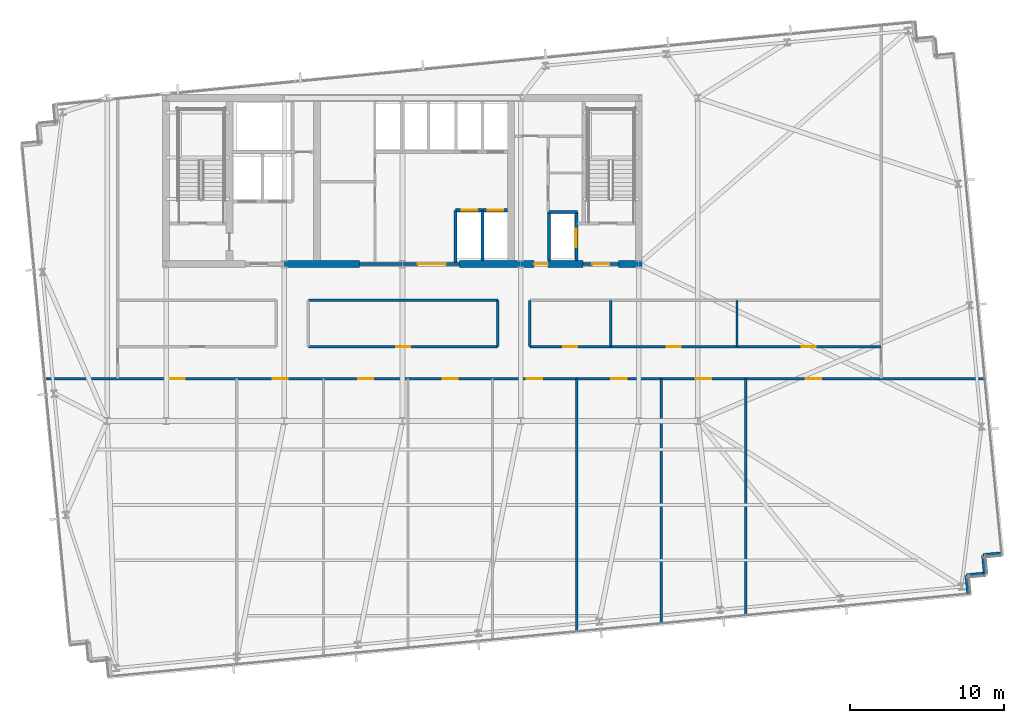
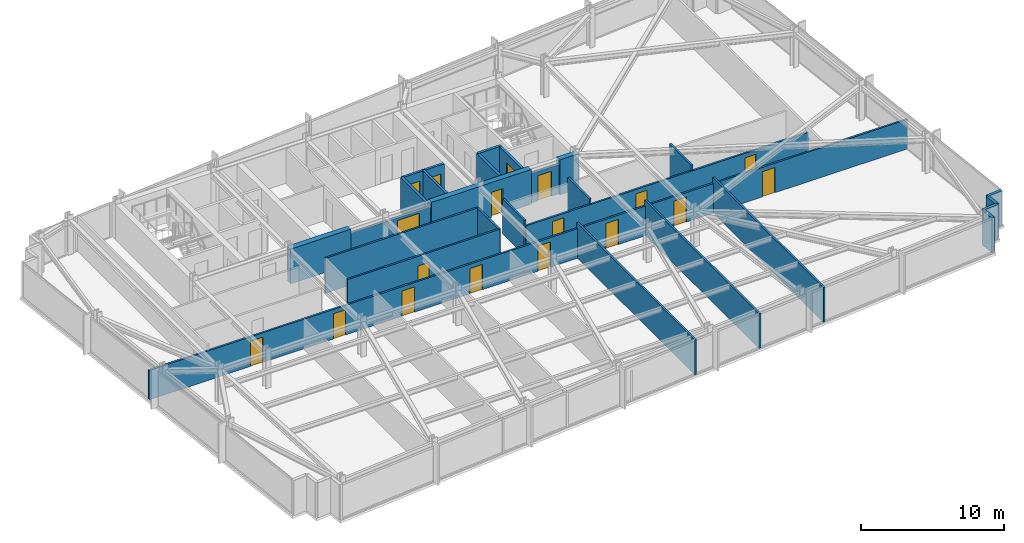
# One storey, part 25 of 32: 26 walls, 18 doors, 18 openings.
"""IFC4 building model written with IfcOpenShell, lengths in metres."""

import ifcopenshell
import ifcopenshell.guid

model = None  # the IFC model being written
_history = None  # IfcOwnerHistory: only IFC2X3 demands one
_inside = {}  # id of a spatial element -> (the spatial element, [elements in it])
_under = {}  # id of a project, library or spatial element -> (it, [spatial elements below it])
_declared = {}  # id of a project -> (the project, [libraries it declares])
_typed = {}  # id of a type object -> (the type object, [elements of that type])
_made_of = {}  # id of a material, layer set ... -> (it, [elements and type objects made of it])


def new_model(schema):
    """Start an empty IFC model of exactly this schema.

    Asked for "IFC4X3", IfcOpenShell would pick the latest addendum, in which some entities
    have other attributes; the version numbers below select the first issue.
    IFC2X3 requires an IfcOwnerHistory on every rooted entity: one is made here for all.
    """
    global model, _history
    if schema == "IFC4X3":
        model = ifcopenshell.file(schema_version=(4, 3, 0, 0))
    else:
        model = ifcopenshell.file(schema=schema)
    _inside.clear()
    _under.clear()
    _declared.clear()
    _typed.clear()
    _made_of.clear()
    _history = None
    if model.schema == "IFC2X3":
        org = make("IfcOrganization", Name="unknown")
        user = make(
            "IfcPersonAndOrganization",
            ThePerson=make("IfcPerson", FamilyName="unknown"),
            TheOrganization=org,
        )
        app = make(
            "IfcApplication",
            ApplicationDeveloper=org,
            Version="unknown",
            ApplicationFullName="unknown",
            ApplicationIdentifier="unknown",
        )
        _history = make(
            "IfcOwnerHistory",
            OwningUser=user,
            OwningApplication=app,
            ChangeAction="ADDED",
            CreationDate=0,
        )
    return model


def make(cls, **values):
    """One entity of the class cls with the attributes given. An attribute that is None is left unset."""
    return model.create_entity(
        cls, **{name: value for name, value in values.items() if value is not None}
    )


def rooted(cls, **values):
    """An entity with a GlobalId (a new one), such as an element, a storey or a relation."""
    return make(cls, GlobalId=ifcopenshell.guid.new(), OwnerHistory=_history, **values)


def si_unit(unit_type, name, prefix=None):
    """IfcSIUnit, for example si_unit("LENGTHUNIT", "METRE", prefix="MILLI")."""
    return make("IfcSIUnit", UnitType=unit_type, Prefix=prefix, Name=name)


def assignment(units):
    """IfcUnitAssignment: the units of a project."""
    return None if units is None else make("IfcUnitAssignment", Units=units)


def point(xyz):
    """IfcCartesianPoint."""
    return None if xyz is None else make("IfcCartesianPoint", Coordinates=xyz)


def direction(xyz):
    """IfcDirection."""
    return None if xyz is None else make("IfcDirection", DirectionRatios=xyz)


def frame(location, z_axis=None, x_axis=None):
    """IfcAxis2Placement3D, a coordinate frame: its origin and axes. An axis left out is left unset."""
    return make(
        "IfcAxis2Placement3D",
        Location=point(location),
        Axis=direction(z_axis),
        RefDirection=direction(x_axis),
    )


def frame_2d(location, x_axis=None):
    """IfcAxis2Placement2D, a coordinate frame in the plane: its origin and x axis."""
    return make(
        "IfcAxis2Placement2D", Location=point(location), RefDirection=direction(x_axis)
    )


def origin():
    """The frame at (0, 0, 0) with its axes left unset."""
    return frame((0.0, 0.0, 0.0))


def place(relative_to, where):
    """IfcLocalPlacement: puts the frame where relative to a parent placement (None: the world)."""
    return make(
        "IfcLocalPlacement", PlacementRelTo=relative_to, RelativePlacement=where
    )


def context(
    kind, dimensions, precision=None, world=None, true_north=None, identifier=None
):
    """IfcGeometricRepresentationContext, for example the 3D "Model" context."""
    return make(
        "IfcGeometricRepresentationContext",
        ContextIdentifier=identifier,
        ContextType=kind,
        CoordinateSpaceDimension=dimensions,
        Precision=precision,
        WorldCoordinateSystem=world,
        TrueNorth=true_north,
    )


def subcontext(parent, identifier, kind, view, scale=None):
    """IfcGeometricRepresentationSubContext, for example "Body" below "Model"."""
    return make(
        "IfcGeometricRepresentationSubContext",
        ContextIdentifier=identifier,
        ContextType=kind,
        ParentContext=parent,
        TargetScale=scale,
        TargetView=view,
    )


def project(units=None, contexts=None):
    """IfcProject with its units and contexts."""
    return rooted(
        "IfcProject",
        Name="project",
        RepresentationContexts=contexts,
        UnitsInContext=assignment(units),
    )


def spatial(cls, under=None, at=None, **own):
    """A site, building, storey or space (cls), placed at a placement, below another one or the project."""
    s = rooted(cls, ObjectPlacement=at, **own)
    if under is not None:
        _under.setdefault(under.id(), (under, []))[1].append(s)
    return s


def profile(cls, at=None, kind="AREA", **sizes):
    """A parametric profile (cls). Its sizes go by their IFC names, for example OverallWidth=200.0."""
    return make(cls, ProfileType=kind, Position=at, **sizes)


def rectangle(**sizes):
    """IfcRectangleProfileDef."""
    return profile("IfcRectangleProfileDef", **sizes)


def extrude(swept, where, along, depth):
    """IfcExtrudedAreaSolid: the profile swept, set in the frame where, extruded along a direction by depth."""
    return make(
        "IfcExtrudedAreaSolid",
        SweptArea=swept,
        Position=where,
        ExtrudedDirection=direction(along),
        Depth=depth,
    )


def shape(context_of_items, identifier, shape_type, items):
    """IfcShapeRepresentation: the items that make up one representation, for example the "Body"."""
    return make(
        "IfcShapeRepresentation",
        ContextOfItems=context_of_items,
        RepresentationIdentifier=identifier,
        RepresentationType=shape_type,
        Items=items,
    )


def material(Name=None, Category=None):
    """IfcMaterial."""
    return make("IfcMaterial", Name=Name, Category=Category)


def layer(
    of_material, thickness, ventilated=None, Name=None, Category=None, Priority=None
):
    """IfcMaterialLayer: one layer of a wall or slab, of a material (None: an air gap)."""
    return make(
        "IfcMaterialLayer",
        Material=of_material,
        LayerThickness=thickness,
        IsVentilated=ventilated,
        Name=Name,
        Category=Category,
        Priority=Priority,
    )


def layer_set(layers, Name=None):
    """IfcMaterialLayerSet."""
    return make("IfcMaterialLayerSet", MaterialLayers=layers, LayerSetName=Name)


def made_of(thing, what):
    """Note that an element or type object is made of a material, layer set ...; save() writes the relation."""
    if what is not None:
        _made_of.setdefault(what.id(), (what, []))[1].append(thing)
    return thing


def type_object(cls, material=None, **own):
    """A type object (cls), such as IfcWallType, which elements share."""
    return made_of(rooted(cls, **own), material)


def element(
    cls,
    number,
    at=None,
    inside=None,
    cuts=None,
    type_object=None,
    material=None,
    context=None,
    identifier="Body",
    shape_type=None,
    held_by="IfcProductDefinitionShape",
    body=None,
    shapes=None,
    **own,
):
    """One element of the class cls, such as IfcWall. Its Tag is "e" and its number.

    at: its placement. inside: the storey or other place that contains it. cuts: it is an
    opening in that element (IfcRelVoidsElement). A single representation is given by context,
    identifier, shape_type and body (its items); several are given by shapes. held_by: the class
    of the entity that holds the representations. save() writes the other relations.
    """
    e = rooted(cls, Tag="e%d" % number, ObjectPlacement=at, **own)
    if body is not None:
        shapes = [shape(context, identifier, shape_type, body)]
    if shapes is not None:
        e.Representation = make(held_by, Representations=shapes)
    if inside is not None:
        _inside.setdefault(inside.id(), (inside, []))[1].append(e)
    if cuts is not None:
        rooted(
            "IfcRelVoidsElement", RelatingBuildingElement=cuts, RelatedOpeningElement=e
        )
    if type_object is not None:
        _typed.setdefault(type_object.id(), (type_object, []))[1].append(e)
    return made_of(e, material)


def fill(opening, filler):
    """IfcRelFillsElement: the door or window that sits in an opening."""
    return rooted(
        "IfcRelFillsElement",
        RelatingOpeningElement=opening,
        RelatedBuildingElement=filler,
    )


def aggregate(whole, parts):
    """IfcRelAggregates: a whole, such as a stair, and the parts it consists of."""
    return rooted("IfcRelAggregates", RelatingObject=whole, RelatedObjects=parts)


def save(model, path):
    """Write the relations noted so far, then the file.

    IfcRelAggregates (storeys below a building ...), IfcRelContainedInSpatialStructure (elements
    in a storey), IfcRelDefinesByType, IfcRelAssociatesMaterial and IfcRelDeclares: one each for
    every whole, place, type object, material and project.
    """
    for whole, parts in _under.values():
        aggregate(whole, parts)
    for where, things in _inside.values():
        rooted(
            "IfcRelContainedInSpatialStructure",
            RelatedElements=things,
            RelatingStructure=where,
        )
    for kind, things in _typed.values():
        rooted("IfcRelDefinesByType", RelatedObjects=things, RelatingType=kind)
    for what, things in _made_of.values():
        rooted("IfcRelAssociatesMaterial", RelatedObjects=things, RelatingMaterial=what)
    for by, libraries in _declared.values():
        rooted("IfcRelDeclares", RelatingContext=by, RelatedDefinitions=libraries)
    model.write(path)


model = new_model("IFC4")

# Units and contexts
model_context = context("Model", 3, precision=1e-05, world=origin(), true_north=direction((0.0, 1.0)))
body_context = subcontext(model_context, "Body", "Model", "MODEL_VIEW")
ifc_project = project(units=[si_unit("LENGTHUNIT", "METRE"), si_unit("AREAUNIT", "SQUARE_METRE"), si_unit("VOLUMEUNIT", "CUBIC_METRE"), si_unit("PLANEANGLEUNIT", "RADIAN"), si_unit("MASSUNIT", "GRAM", prefix="KILO")], contexts=[model_context])

# Site, building, storey
site_placement = place(None, origin())
site = spatial("IfcSite", under=ifc_project, at=site_placement, CompositionType="ELEMENT")
building_placement = place(site_placement, origin())
building = spatial("IfcBuilding", under=site, at=building_placement, Name="Yelkora Congress Tower", CompositionType="ELEMENT")
storey_placement = place(building_placement, frame((0.0, 0.0, 133.89990234375)))
storey = spatial("IfcBuildingStorey", under=building, at=storey_placement, Name="L36", CompositionType="ELEMENT", Elevation=133.89990234375)

# Wall
ifc_material_1 = material(Name="Concrete C60/75", Category="concrete")
ifc_layer_1 = layer(ifc_material_1, 0.449951171875)
ifc_layer_set_1 = layer_set([ifc_layer_1], Name="Concrete C60/75")
wall_type_1 = type_object("IfcWallType", Name="WALL-CORE-INT-450", PredefinedType="SHEAR", material=ifc_layer_set_1)
wall_1_placement = place(storey_placement, frame((30.719970703125, 35.39990234375, 0.0), z_axis=(0.0, 0.0, 1.0), x_axis=(1.0, 0.0, 0.0)))
element("IfcWall", 1, at=wall_1_placement, inside=storey, type_object=wall_type_1, Name="L36 Rear Core South-Center Shear Pier", PredefinedType="SHEAR", context=body_context, shape_type="SweptSolid", body=[
    extrude(rectangle(XDim=4.880126953125, YDim=0.449951171875, at=frame_2d((2.43994140625, 0.0))), origin(), (0.0, 0.0, 1.0), 2.97998046875),
])

# Wall, opening, door
wall_2_placement = place(storey_placement, frame((42.10009765625, 35.39990234375, 0.0), z_axis=(0.0, 0.0, 1.0), x_axis=(1.0, 0.0, 0.0)))
wall_2 = element("IfcWall", 2, at=wall_2_placement, inside=storey, type_object=wall_type_1, Name="L36 Rear Core South-East Shear Wall A", PredefinedType="SHEAR", context=body_context, shape_type="SweptSolid", body=[
    extrude(rectangle(XDim=8.0498046875, YDim=0.449951171875, at=frame_2d((4.02490234375, 0.0))), origin(), (0.0, 0.0, 1.0), 2.97998046875),
])
opening_1_placement = place(wall_2_placement, frame((4.85009765625, 0.0, 0.0)))
opening_1 = element("IfcOpeningElement", 3, at=opening_1_placement, cuts=wall_2, Name="Opening DR-090F6", PredefinedType="OPENING", context=body_context, shape_type="SweptSolid", body=[
    extrude(rectangle(XDim=0.89990234375, YDim=2.14990234375, at=frame_2d((0.449951171875, 1.074951171875))), frame((0.0, 0.23486328125, 0.0), z_axis=(0.0, -1.0, 0.0), x_axis=(1.0, 0.0, 0.0)), (0.0, 0.0, 1.0), 0.469970703125),
])
ifc_material_2 = material(Name="Painted steel riser fire door leaf", Category="steel")
door_type_1 = type_object("IfcDoorType", Name="DOOR-FD60-900", OperationType="NOTDEFINED", PredefinedType="DOOR", material=ifc_material_2)
door_1_placement = place(opening_1_placement, origin())
door_1 = element("IfcDoor", 4, at=door_1_placement, inside=storey, type_object=door_type_1, Name="L36 Core Washroom Lobby Door", OperationType="SINGLE_SWING_RIGHT", OverallHeight=2.14990234375, OverallWidth=0.89990234375, PredefinedType="DOOR", context=body_context, shape_type="SweptSolid", body=[
    extrude(rectangle(XDim=0.89990234375, YDim=2.14990234375, at=frame_2d((0.449951171875, 1.074951171875))), frame((0.0, 0.02490234375, 0.0), z_axis=(0.0, -1.0, 0.0), x_axis=(1.0, 0.0, 0.0)), (0.0, 0.0, 1.0), 0.050048828125),
])
fill(opening_1, door_1)

# Walls
wall_3_placement = place(storey_placement, frame((52.449951171875, 35.39990234375, 0.0), z_axis=(0.0, 0.0, 1.0), x_axis=(1.0, 0.0, 0.0)))
element("IfcWall", 5, at=wall_3_placement, inside=storey, type_object=wall_type_1, Name="L36 Rear Core South-East Shear Wall B", PredefinedType="SHEAR", context=body_context, shape_type="SweptSolid", body=[
    extrude(rectangle(XDim=1.53515625, YDim=0.449951171875, at=frame_2d((0.767578125, 0.0))), origin(), (0.0, 0.0, 1.0), 2.97998046875),
])
ifc_material_3 = material(Name="Concrete C40/50", Category="concrete")
ifc_layer_2 = layer(ifc_material_3, 0.239990234375)
ifc_layer_set_2 = layer_set([ifc_layer_2], Name="Concrete C40/50")
wall_type_2 = type_object("IfcWallType", Name="WALL-EXT-LIMESTONE-240", PredefinedType="SOLIDWALL", material=ifc_layer_set_2)
wall_4_placement = place(storey_placement, frame((77.34765625, 16.585693359375, 0.0), z_axis=(0.0, 0.0, 1.0), x_axis=(-0.995397091755, -0.095836473879, 0.0)))
element("IfcWall", 6, at=wall_4_placement, inside=storey, type_object=wall_type_2, Name="L36 Serrated Corner Limestone Pier 16", PredefinedType="SOLIDWALL", context=body_context, shape_type="SweptSolid", body=[
    extrude(rectangle(XDim=1.199951171875, YDim=0.239990234375, at=frame_2d((0.60009765625, 0.0))), origin(), (0.0, 0.0, 1.0), 2.97998046875),
])
for number, where, z_axis, x_axis, name in (
    (7, (76.1533203125, 16.470703125, 0.0), (0.0, 0.0, 1.0), (0.095817067274, -0.995398960025, 0.0), "L36 Serrated Corner Limestone Pier 17"),
    (8, (76.268310546875, 15.276123046875, 0.0), (0.0, 0.0, 1.0), (-0.995398960025, -0.095817067274, 0.0), "L36 Serrated Corner Limestone Pier 18"),
):
    element("IfcWall", number, at=place(storey_placement, frame(where, z_axis=z_axis, x_axis=x_axis)), inside=storey, type_object=wall_type_2, Name=name, PredefinedType="SOLIDWALL", context=body_context, shape_type="SweptSolid", body=[
        extrude(rectangle(XDim=1.2001953125, YDim=0.239990234375, at=frame_2d((0.60009765625, 0.0))), origin(), (0.0, 0.0, 1.0), 2.97998046875),
    ])
wall_5_placement = place(storey_placement, frame((75.07373046875, 15.1611328125, 0.0), z_axis=(0.0, 0.0, 1.0), x_axis=(0.095836473879, -0.995397091755, 0.0)))
element("IfcWall", 9, at=wall_5_placement, inside=storey, type_object=wall_type_2, Name="L36 Serrated Corner Limestone Pier 19", PredefinedType="SOLIDWALL", context=body_context, shape_type="SweptSolid", body=[
    extrude(rectangle(XDim=1.199951171875, YDim=0.239990234375, at=frame_2d((0.60009765625, 0.0))), origin(), (0.0, 0.0, 1.0), 2.97998046875),
])
ifc_material_4 = material(Name="Acoustic metal-stud gypsum partition", Category="gypsum")
ifc_layer_3 = layer(ifc_material_4, 0.14990234375)
ifc_layer_set_3 = layer_set([ifc_layer_3], Name="Acoustic metal-stud gypsum partition")
wall_type_3 = type_object("IfcWallType", Name="WALL-INT-150-NR", PredefinedType="PARTITIONING", material=ifc_layer_set_3)
wall_6_placement = place(storey_placement, frame((49.73193359375, 11.455322265625, 0.0), z_axis=(0.0, 0.0, 1.0), x_axis=(0.0, 1.0, 0.0)))
element("IfcWall", 10, at=wall_6_placement, inside=storey, type_object=wall_type_3, Name="L36 Partition Wall 31", PredefinedType="PARTITIONING", context=body_context, shape_type="SweptSolid", body=[
    extrude(rectangle(XDim=16.5146484375, YDim=0.14990234375, at=frame_2d((8.25732421875, 0.0))), origin(), (0.0, 0.0, 1.0), 2.97998046875),
])
wall_7_placement = place(storey_placement, frame((55.218994140625, 11.983642578125, 0.0), z_axis=(0.0, 0.0, 1.0), x_axis=(0.0, 1.0, 0.0)))
element("IfcWall", 11, at=wall_7_placement, inside=storey, type_object=wall_type_3, Name="L36 Partition Wall 32", PredefinedType="PARTITIONING", context=body_context, shape_type="SweptSolid", body=[
    extrude(rectangle(XDim=15.986328125, YDim=0.14990234375, at=frame_2d((7.9931640625, 0.0))), origin(), (0.0, 0.0, 1.0), 2.97998046875),
])
wall_8_placement = place(storey_placement, frame((60.7060546875, 12.511962890625, 0.0), z_axis=(0.0, 0.0, 1.0), x_axis=(0.0, 1.0, 0.0)))
element("IfcWall", 12, at=wall_8_placement, inside=storey, type_object=wall_type_3, Name="L36 Partition Wall 33", PredefinedType="PARTITIONING", context=body_context, shape_type="SweptSolid", body=[
    extrude(rectangle(XDim=15.4580078125, YDim=0.14990234375, at=frame_2d((7.72900390625, 0.0))), origin(), (0.0, 0.0, 1.0), 2.97998046875),
])

# Wall, openings, doors
wall_9_placement = place(storey_placement, frame((15.091796875, 27.949951171875, 0.0), z_axis=(0.0, 0.0, 1.0), x_axis=(1.0, 0.0, 0.0)))
wall_9 = element("IfcWall", 13, at=wall_9_placement, inside=storey, type_object=wall_type_3, Name="L36 South Spine Wall", PredefinedType="PARTITIONING", context=body_context, shape_type="SweptSolid", body=[
    extrude(rectangle(XDim=61.221923828125, YDim=0.14990234375, at=frame_2d((30.61083984375, 0.0))), origin(), (0.0, 0.0, 1.0), 2.525146484375),
])
opening_2_placement = place(wall_9_placement, frame((8.171630859375, 0.0, 0.0)))
opening_2 = element("IfcOpeningElement", 14, at=opening_2_placement, cuts=wall_9, Name="Opening DR-100N", PredefinedType="OPENING", context=body_context, shape_type="SweptSolid", body=[
    extrude(rectangle(XDim=1.0, YDim=2.14990234375, at=frame_2d((0.5, 1.074951171875))), frame((0.0, 0.0849609375, 0.0), z_axis=(0.0, -1.0, 0.0), x_axis=(1.0, 0.0, 0.0)), (0.0, 0.0, 1.0), 0.169921875),
])
opening_3_placement = place(wall_9_placement, frame((14.861572265625, 0.0, 0.0)))
opening_3 = element("IfcOpeningElement", 15, at=opening_3_placement, cuts=wall_9, Name="Opening DR-100N", PredefinedType="OPENING", context=body_context, shape_type="SweptSolid", body=[
    extrude(rectangle(XDim=1.0, YDim=2.14990234375, at=frame_2d((0.5, 1.074951171875))), frame((0.0, 0.0849609375, 0.0), z_axis=(0.0, -1.0, 0.0), x_axis=(1.0, 0.0, 0.0)), (0.0, 0.0, 1.0), 0.169921875),
])
opening_4_placement = place(wall_9_placement, frame((20.423583984375, 0.0, 0.0)))
opening_4 = element("IfcOpeningElement", 16, at=opening_4_placement, cuts=wall_9, Name="Opening DR-100N", PredefinedType="OPENING", context=body_context, shape_type="SweptSolid", body=[
    extrude(rectangle(XDim=1.0, YDim=2.14990234375, at=frame_2d((0.5, 1.074951171875))), frame((0.0, 0.0849609375, 0.0), z_axis=(0.0, -1.0, 0.0), x_axis=(1.0, 0.0, 0.0)), (0.0, 0.0, 1.0), 0.169921875),
])
opening_5_placement = place(wall_9_placement, frame((25.91064453125, 0.0, 0.0)))
opening_5 = element("IfcOpeningElement", 17, at=opening_5_placement, cuts=wall_9, Name="Opening DR-100N", PredefinedType="OPENING", context=body_context, shape_type="SweptSolid", body=[
    extrude(rectangle(XDim=1.0, YDim=2.14990234375, at=frame_2d((0.5, 1.074951171875))), frame((0.0, 0.0849609375, 0.0), z_axis=(0.0, -1.0, 0.0), x_axis=(1.0, 0.0, 0.0)), (0.0, 0.0, 1.0), 0.169921875),
])
opening_6_placement = place(wall_9_placement, frame((31.397216796875, 0.0, 0.0)))
opening_6 = element("IfcOpeningElement", 18, at=opening_6_placement, cuts=wall_9, Name="Opening DR-100N", PredefinedType="OPENING", context=body_context, shape_type="SweptSolid", body=[
    extrude(rectangle(XDim=1.0, YDim=2.14990234375, at=frame_2d((0.5, 1.074951171875))), frame((0.0, 0.0849609375, 0.0), z_axis=(0.0, -1.0, 0.0), x_axis=(1.0, 0.0, 0.0)), (0.0, 0.0, 1.0), 0.169921875),
])
opening_7_placement = place(wall_9_placement, frame((36.883544921875, 0.0, 0.0)))
opening_7 = element("IfcOpeningElement", 19, at=opening_7_placement, cuts=wall_9, Name="Opening DR-100N", PredefinedType="OPENING", context=body_context, shape_type="SweptSolid", body=[
    extrude(rectangle(XDim=1.0, YDim=2.14990234375, at=frame_2d((0.5, 1.074951171875))), frame((0.0, 0.0849609375, 0.0), z_axis=(0.0, -1.0, 0.0), x_axis=(1.0, 0.0, 0.0)), (0.0, 0.0, 1.0), 0.169921875),
])
opening_8_placement = place(wall_9_placement, frame((42.37060546875, 0.0, 0.0)))
opening_8 = element("IfcOpeningElement", 20, at=opening_8_placement, cuts=wall_9, Name="Opening DR-100N", PredefinedType="OPENING", context=body_context, shape_type="SweptSolid", body=[
    extrude(rectangle(XDim=1.0, YDim=2.14990234375, at=frame_2d((0.5, 1.074951171875))), frame((0.0, 0.0849609375, 0.0), z_axis=(0.0, -1.0, 0.0), x_axis=(1.0, 0.0, 0.0)), (0.0, 0.0, 1.0), 0.169921875),
])
opening_9_placement = place(wall_9_placement, frame((49.51806640625, 0.0, 0.0)))
opening_9 = element("IfcOpeningElement", 21, at=opening_9_placement, cuts=wall_9, Name="Opening DR-100N", PredefinedType="OPENING", context=body_context, shape_type="SweptSolid", body=[
    extrude(rectangle(XDim=1.0, YDim=2.14990234375, at=frame_2d((0.5, 1.074951171875))), frame((0.0, 0.0849609375, 0.0), z_axis=(0.0, -1.0, 0.0), x_axis=(1.0, 0.0, 0.0)), (0.0, 0.0, 1.0), 0.169921875),
])
ifc_material_5 = material(Name="Solid-core Anatolian oak veneer door", Category="wood")
door_type_2 = type_object("IfcDoorType", Name="DOOR-INT-1000", OperationType="NOTDEFINED", PredefinedType="DOOR", material=ifc_material_5)
door_2_placement = place(opening_2_placement, origin())
door_2 = element("IfcDoor", 22, at=door_2_placement, inside=storey, type_object=door_type_2, Name="L36 Living & Reading Lounge Door", OperationType="SINGLE_SWING_LEFT", OverallHeight=2.14990234375, OverallWidth=1.0, PredefinedType="DOOR", context=body_context, shape_type="SweptSolid", body=[
    extrude(rectangle(XDim=1.0, YDim=2.14990234375, at=frame_2d((0.5, 1.074951171875))), frame((0.0, 0.02490234375, 0.0), z_axis=(0.0, -1.0, 0.0), x_axis=(1.0, 0.0, 0.0)), (0.0, 0.0, 1.0), 0.050048828125),
])
fill(opening_2, door_2)
door_3_placement = place(opening_3_placement, origin())
door_3 = element("IfcDoor", 23, at=door_3_placement, inside=storey, type_object=door_type_2, Name="L36 Living & Reading Lounge Door", OperationType="SINGLE_SWING_RIGHT", OverallHeight=2.14990234375, OverallWidth=1.0, PredefinedType="DOOR", context=body_context, shape_type="SweptSolid", body=[
    extrude(rectangle(XDim=1.0, YDim=2.14990234375, at=frame_2d((0.5, 1.074951171875))), frame((0.0, 0.02490234375, 0.0), z_axis=(0.0, -1.0, 0.0), x_axis=(1.0, 0.0, 0.0)), (0.0, 0.0, 1.0), 0.050048828125),
])
fill(opening_3, door_3)
door_4_placement = place(opening_4_placement, origin())
door_4 = element("IfcDoor", 24, at=door_4_placement, inside=storey, type_object=door_type_2, Name="L36 Hospitality Kitchen Door", OperationType="SINGLE_SWING_LEFT", OverallHeight=2.14990234375, OverallWidth=1.0, PredefinedType="DOOR", context=body_context, shape_type="SweptSolid", body=[
    extrude(rectangle(XDim=1.0, YDim=2.14990234375, at=frame_2d((0.5, 1.074951171875))), frame((0.0, 0.02490234375, 0.0), z_axis=(0.0, -1.0, 0.0), x_axis=(1.0, 0.0, 0.0)), (0.0, 0.0, 1.0), 0.050048828125),
])
fill(opening_4, door_4)
door_5_placement = place(opening_5_placement, origin())
door_5 = element("IfcDoor", 25, at=door_5_placement, inside=storey, type_object=door_type_2, Name="L36 Executive Office Door", OperationType="SINGLE_SWING_RIGHT", OverallHeight=2.14990234375, OverallWidth=1.0, PredefinedType="DOOR", context=body_context, shape_type="SweptSolid", body=[
    extrude(rectangle(XDim=1.0, YDim=2.14990234375, at=frame_2d((0.5, 1.074951171875))), frame((0.0, 0.02490234375, 0.0), z_axis=(0.0, -1.0, 0.0), x_axis=(1.0, 0.0, 0.0)), (0.0, 0.0, 1.0), 0.050048828125),
])
fill(opening_5, door_5)
door_6_placement = place(opening_6_placement, origin())
door_6 = element("IfcDoor", 26, at=door_6_placement, inside=storey, type_object=door_type_2, Name="L36 Wellness Room Door", OperationType="SINGLE_SWING_LEFT", OverallHeight=2.14990234375, OverallWidth=1.0, PredefinedType="DOOR", context=body_context, shape_type="SweptSolid", body=[
    extrude(rectangle(XDim=1.0, YDim=2.14990234375, at=frame_2d((0.5, 1.074951171875))), frame((0.0, 0.02490234375, 0.0), z_axis=(0.0, -1.0, 0.0), x_axis=(1.0, 0.0, 0.0)), (0.0, 0.0, 1.0), 0.050048828125),
])
fill(opening_6, door_6)
door_7_placement = place(opening_7_placement, origin())
door_7 = element("IfcDoor", 27, at=door_7_placement, inside=storey, type_object=door_type_2, Name="L36 Store Equipment Door", OperationType="SINGLE_SWING_RIGHT", OverallHeight=2.14990234375, OverallWidth=1.0, PredefinedType="DOOR", context=body_context, shape_type="SweptSolid", body=[
    extrude(rectangle(XDim=1.0, YDim=2.14990234375, at=frame_2d((0.5, 1.074951171875))), frame((0.0, 0.02490234375, 0.0), z_axis=(0.0, -1.0, 0.0), x_axis=(1.0, 0.0, 0.0)), (0.0, 0.0, 1.0), 0.050048828125),
])
fill(opening_7, door_7)
door_8_placement = place(opening_8_placement, origin())
door_8 = element("IfcDoor", 28, at=door_8_placement, inside=storey, type_object=door_type_2, Name="L36 Design Studio Office Door", OperationType="SINGLE_SWING_LEFT", OverallHeight=2.14990234375, OverallWidth=1.0, PredefinedType="DOOR", context=body_context, shape_type="SweptSolid", body=[
    extrude(rectangle(XDim=1.0, YDim=2.14990234375, at=frame_2d((0.5, 1.074951171875))), frame((0.0, 0.02490234375, 0.0), z_axis=(0.0, -1.0, 0.0), x_axis=(1.0, 0.0, 0.0)), (0.0, 0.0, 1.0), 0.050048828125),
])
fill(opening_8, door_8)
door_9_placement = place(opening_9_placement, origin())
door_9 = element("IfcDoor", 29, at=door_9_placement, inside=storey, type_object=door_type_2, Name="L36 Conference Hall Door", OperationType="SINGLE_SWING_RIGHT", OverallHeight=2.14990234375, OverallWidth=1.0, PredefinedType="DOOR", context=body_context, shape_type="SweptSolid", body=[
    extrude(rectangle(XDim=1.0, YDim=2.14990234375, at=frame_2d((0.5, 1.074951171875))), frame((0.0, 0.02490234375, 0.0), z_axis=(0.0, -1.0, 0.0), x_axis=(1.0, 0.0, 0.0)), (0.0, 0.0, 1.0), 0.050048828125),
])
fill(opening_9, door_9)

# Walls
for number, where, z_axis, x_axis, name in (
    (30, (44.60009765625, 30.030029296875, 0.0), (0.0, 0.0, 1.0), (0.0, 1.0, 0.0), "L36 Partition Wall 39"),
    (31, (46.679931640625, 30.030029296875, 0.0), (0.0, 0.0, 1.0), (0.0, 1.0, 0.0), "L36 Partition Wall 40"),
):
    element("IfcWall", number, at=place(storey_placement, frame(where, z_axis=z_axis, x_axis=x_axis)), inside=storey, type_object=wall_type_3, Name=name, PredefinedType="PARTITIONING", context=body_context, shape_type="SweptSolid", body=[
        extrude(rectangle(XDim=3.02001953125, YDim=0.14990234375, at=frame_2d((1.510009765625, 0.0))), origin(), (0.0, 0.0, 1.0), 2.97998046875),
    ])
wall_10_placement = place(storey_placement, frame((32.280029296875, 33.050048828125, 0.0), z_axis=(0.0, 0.0, 1.0), x_axis=(1.0, 0.0, 0.0)))
element("IfcWall", 32, at=wall_10_placement, inside=storey, type_object=wall_type_3, Name="L36 Partition Wall 42", PredefinedType="PARTITIONING", context=body_context, shape_type="SweptSolid", body=[
    extrude(rectangle(XDim=12.320068359375, YDim=0.14990234375, at=frame_2d((6.16015625, 0.0))), origin(), (0.0, 0.0, 1.0), 2.97998046875),
])

# Wall, opening, door
wall_11_placement = place(storey_placement, frame((32.2900390625, 30.030029296875, 0.0), z_axis=(0.0, 0.0, 1.0), x_axis=(1.0, 0.0, 0.0)))
wall_11 = element("IfcWall", 33, at=wall_11_placement, inside=storey, type_object=wall_type_3, Name="L36 Partition Wall 45", PredefinedType="PARTITIONING", context=body_context, shape_type="SweptSolid", body=[
    extrude(rectangle(XDim=12.300048828125, YDim=0.14990234375, at=frame_2d((6.14990234375, 0.0))), origin(), (0.0, 0.0, 1.0), 2.97998046875),
])
opening_10_placement = place(wall_11_placement, frame((5.699951171875, 0.0, 0.0)))
opening_10 = element("IfcOpeningElement", 34, at=opening_10_placement, cuts=wall_11, Name="Opening DR-090N", PredefinedType="OPENING", context=body_context, shape_type="SweptSolid", body=[
    extrude(rectangle(XDim=0.89990234375, YDim=2.14990234375, at=frame_2d((0.449951171875, 1.074951171875))), frame((0.0, 0.0849609375, 0.0), z_axis=(0.0, -1.0, 0.0), x_axis=(1.0, 0.0, 0.0)), (0.0, 0.0, 1.0), 0.169921875),
])
ifc_material_6 = material(Name="Moisture-resistant laminate door leaf", Category="wood")
door_type_3 = type_object("IfcDoorType", Name="DOOR-INT-900", OperationType="NOTDEFINED", PredefinedType="DOOR", material=ifc_material_6)
door_10_placement = place(opening_10_placement, origin())
door_10 = element("IfcDoor", 35, at=door_10_placement, inside=storey, type_object=door_type_3, Name="L36 VIP Atrium Foyer Door", OperationType="SINGLE_SWING_RIGHT", OverallHeight=2.14990234375, OverallWidth=0.89990234375, PredefinedType="DOOR", context=body_context, shape_type="SweptSolid", body=[
    extrude(rectangle(XDim=0.89990234375, YDim=2.14990234375, at=frame_2d((0.449951171875, 1.074951171875))), frame((0.0, 0.02490234375, 0.0), z_axis=(0.0, -1.0, 0.0), x_axis=(1.0, 0.0, 0.0)), (0.0, 0.0, 1.0), 0.050048828125),
])
fill(opening_10, door_10)

# Walls
for number, where, z_axis, x_axis, name in (
    (36, (51.93505859375, 30.030029296875, 0.0), (0.0, 0.0, 1.0), (0.0, 1.0, 0.0), "L36 Partition Wall 46"),
    (37, (60.14404296875, 30.030029296875, 0.0), (0.0, 0.0, 1.0), (0.0, 1.0, 0.0), "L36 Partition Wall 47"),
):
    element("IfcWall", number, at=place(storey_placement, frame(where, z_axis=z_axis, x_axis=x_axis)), inside=storey, type_object=wall_type_3, Name=name, PredefinedType="PARTITIONING", context=body_context, shape_type="SweptSolid", body=[
        extrude(rectangle(XDim=3.02001953125, YDim=0.14990234375, at=frame_2d((1.510009765625, 0.0))), origin(), (0.0, 0.0, 1.0), 2.97998046875),
    ])

# Wall, openings, doors
wall_12_placement = place(storey_placement, frame((46.68994140625, 30.030029296875, 0.0), z_axis=(0.0, 0.0, 1.0), x_axis=(1.0, 0.0, 0.0)))
wall_12 = element("IfcWall", 38, at=wall_12_placement, inside=storey, type_object=wall_type_3, Name="L36 Partition Wall 48", PredefinedType="PARTITIONING", context=body_context, shape_type="SweptSolid", body=[
    extrude(rectangle(XDim=22.803955078125, YDim=0.14990234375, at=frame_2d((11.40185546875, 0.0))), origin(), (0.0, 0.0, 1.0), 2.525146484375),
])
opening_11_placement = place(wall_12_placement, frame((2.172607421875, 0.0, 0.0)))
opening_11 = element("IfcOpeningElement", 39, at=opening_11_placement, cuts=wall_12, Name="Opening DR-090N", PredefinedType="OPENING", context=body_context, shape_type="SweptSolid", body=[
    extrude(rectangle(XDim=0.89990234375, YDim=2.14990234375, at=frame_2d((0.449951171875, 1.074951171875))), frame((0.0, 0.0849609375, 0.0), z_axis=(0.0, -1.0, 0.0), x_axis=(1.0, 0.0, 0.0)), (0.0, 0.0, 1.0), 0.169921875),
])
opening_12_placement = place(wall_12_placement, frame((8.8994140625, 0.0, 0.0)))
opening_12 = element("IfcOpeningElement", 40, at=opening_12_placement, cuts=wall_12, Name="Opening DR-090N", PredefinedType="OPENING", context=body_context, shape_type="SweptSolid", body=[
    extrude(rectangle(XDim=0.89990234375, YDim=2.14990234375, at=frame_2d((0.449951171875, 1.074951171875))), frame((0.0, 0.0849609375, 0.0), z_axis=(0.0, -1.0, 0.0), x_axis=(1.0, 0.0, 0.0)), (0.0, 0.0, 1.0), 0.169921875),
])
opening_13_placement = place(wall_12_placement, frame((17.678955078125, 0.0, 0.0)))
opening_13 = element("IfcOpeningElement", 41, at=opening_13_placement, cuts=wall_12, Name="Opening DR-090N", PredefinedType="OPENING", context=body_context, shape_type="SweptSolid", body=[
    extrude(rectangle(XDim=0.89990234375, YDim=2.14990234375, at=frame_2d((0.449951171875, 1.074951171875))), frame((0.0, 0.0849609375, 0.0), z_axis=(0.0, -1.0, 0.0), x_axis=(1.0, 0.0, 0.0)), (0.0, 0.0, 1.0), 0.169921875),
])
door_11_placement = place(opening_11_placement, origin())
door_11 = element("IfcDoor", 42, at=door_11_placement, inside=storey, type_object=door_type_3, Name="L36 Reading Library Door", OperationType="SINGLE_SWING_LEFT", OverallHeight=2.14990234375, OverallWidth=0.89990234375, PredefinedType="DOOR", context=body_context, shape_type="SweptSolid", body=[
    extrude(rectangle(XDim=0.89990234375, YDim=2.14990234375, at=frame_2d((0.449951171875, 1.074951171875))), frame((0.0, 0.02490234375, 0.0), z_axis=(0.0, -1.0, 0.0), x_axis=(1.0, 0.0, 0.0)), (0.0, 0.0, 1.0), 0.050048828125),
])
fill(opening_11, door_11)
door_12_placement = place(opening_12_placement, origin())
door_12 = element("IfcDoor", 43, at=door_12_placement, inside=storey, type_object=door_type_3, Name="L36 Executive Club Bar Door", OperationType="SINGLE_SWING_RIGHT", OverallHeight=2.14990234375, OverallWidth=0.89990234375, PredefinedType="DOOR", context=body_context, shape_type="SweptSolid", body=[
    extrude(rectangle(XDim=0.89990234375, YDim=2.14990234375, at=frame_2d((0.449951171875, 1.074951171875))), frame((0.0, 0.02490234375, 0.0), z_axis=(0.0, -1.0, 0.0), x_axis=(1.0, 0.0, 0.0)), (0.0, 0.0, 1.0), 0.050048828125),
])
fill(opening_12, door_12)
door_13_placement = place(opening_13_placement, origin())
door_13 = element("IfcDoor", 44, at=door_13_placement, inside=storey, type_object=door_type_3, Name="L36 VIP Atrium Foyer Door", OperationType="SINGLE_SWING_LEFT", OverallHeight=2.14990234375, OverallWidth=0.89990234375, PredefinedType="DOOR", context=body_context, shape_type="SweptSolid", body=[
    extrude(rectangle(XDim=0.89990234375, YDim=2.14990234375, at=frame_2d((0.449951171875, 1.074951171875))), frame((0.0, 0.02490234375, 0.0), z_axis=(0.0, -1.0, 0.0), x_axis=(1.0, 0.0, 0.0)), (0.0, 0.0, 1.0), 0.050048828125),
])
fill(opening_13, door_13)

# Wall, opening, door
ifc_material_7 = material(Name="Autoclaved aerated concrete blockwork", Category="masonry")
ifc_layer_4 = layer(ifc_material_7, 0.199951171875)
ifc_layer_set_4 = layer_set([ifc_layer_4], Name="Autoclaved aerated concrete blockwork")
wall_type_4 = type_object("IfcWallType", Name="WALL-INT-200-R120", PredefinedType="PARTITIONING", material=ifc_layer_set_4)
wall_13_placement = place(storey_placement, frame((35.60009765625, 35.39990234375, 0.0), z_axis=(0.0, 0.0, 1.0), x_axis=(1.0, 0.0, 0.0)))
wall_13 = element("IfcWall", 45, at=wall_13_placement, inside=storey, type_object=wall_type_4, Name="L36 Main Lift Lobby South Portal Wall", PredefinedType="PARTITIONING", context=body_context, shape_type="SweptSolid", body=[
    extrude(rectangle(XDim=6.5, YDim=0.199951171875, at=frame_2d((3.25, 0.0))), origin(), (0.0, 0.0, 1.0), 2.525146484375),
])
opening_14_placement = place(wall_13_placement, frame((3.800048828125, 0.0, 0.0)))
opening_14 = element("IfcOpeningElement", 46, at=opening_14_placement, cuts=wall_13, Name="Opening DR-180D", PredefinedType="OPENING", context=body_context, shape_type="SweptSolid", body=[
    extrude(rectangle(XDim=1.800048828125, YDim=2.300048828125, at=frame_2d((0.89990234375, 1.14990234375))), frame((0.0, 0.10986328125, 0.0), z_axis=(0.0, -1.0, 0.0), x_axis=(1.0, 0.0, 0.0)), (0.0, 0.0, 1.0), 0.219970703125),
])
ifc_material_8 = material(Name="Acoustic double congress hall doors", Category="wood")
door_type_4 = type_object("IfcDoorType", Name="DOOR-DBL-1800", OperationType="DOUBLE_DOOR_SINGLE_SWING", PredefinedType="DOOR", material=ifc_material_8)
door_14_placement = place(opening_14_placement, origin())
door_14 = element("IfcDoor", 47, at=door_14_placement, inside=storey, type_object=door_type_4, Name="L36 Main Lift Lobby Portal Door", OperationType="DOUBLE_DOOR_SINGLE_SWING", OverallHeight=2.300048828125, OverallWidth=1.800048828125, PredefinedType="DOOR", context=body_context, shape_type="SweptSolid", body=[
    extrude(rectangle(XDim=1.800048828125, YDim=2.300048828125, at=frame_2d((0.89990234375, 1.14990234375))), frame((0.0, 0.02490234375, 0.0), z_axis=(0.0, -1.0, 0.0), x_axis=(1.0, 0.0, 0.0)), (0.0, 0.0, 1.0), 0.050048828125),
])
fill(opening_14, door_14)

# Wall, openings, doors
wall_14_placement = place(storey_placement, frame((41.85009765625, 38.89990234375, 0.0), z_axis=(0.0, 0.0, 1.0), x_axis=(1.0, 0.0, 0.0)))
wall_14 = element("IfcWall", 48, at=wall_14_placement, inside=storey, type_object=wall_type_4, Name="L36 Partition Wall 13", PredefinedType="PARTITIONING", context=body_context, shape_type="SweptSolid", body=[
    extrude(rectangle(XDim=3.369873046875, YDim=0.199951171875, at=frame_2d((1.68505859375, 0.0))), origin(), (0.0, 0.0, 1.0), 2.97998046875),
])
opening_15_placement = place(wall_14_placement, frame((0.39990234375, 0.0, 0.0)))
opening_15 = element("IfcOpeningElement", 49, at=opening_15_placement, cuts=wall_14, Name="Opening LD-PS10", PredefinedType="OPENING", context=body_context, shape_type="SweptSolid", body=[
    extrude(rectangle(XDim=1.0, YDim=2.199951171875, at=frame_2d((0.5, 1.10009765625))), frame((0.0, 0.10986328125, 0.0), z_axis=(0.0, -1.0, 0.0), x_axis=(1.0, 0.0, 0.0)), (0.0, 0.0, 1.0), 0.219970703125),
])
opening_16_placement = place(wall_14_placement, frame((2.10009765625, 0.0, 0.0)))
opening_16 = element("IfcOpeningElement", 50, at=opening_16_placement, cuts=wall_14, Name="Opening LD-PS10", PredefinedType="OPENING", context=body_context, shape_type="SweptSolid", body=[
    extrude(rectangle(XDim=1.0, YDim=2.199951171875, at=frame_2d((0.5, 1.10009765625))), frame((0.0, 0.10986328125, 0.0), z_axis=(0.0, -1.0, 0.0), x_axis=(1.0, 0.0, 0.0)), (0.0, 0.0, 1.0), 0.219970703125),
])
ifc_material_9 = material(Name="Champagne stainless steel landing door", Category="steel")
door_type_5 = type_object("IfcDoorType", Name="DOOR-LIFT-PAS-1000", OperationType="DOUBLE_DOOR_SLIDING", PredefinedType="DOOR", material=ifc_material_9)
door_15_placement = place(opening_15_placement, origin())
door_15 = element("IfcDoor", 51, at=door_15_placement, inside=storey, type_object=door_type_5, Name="Lift Landing Door LF-P5 L36", OperationType="DOUBLE_DOOR_SLIDING", OverallHeight=2.199951171875, OverallWidth=1.0, PredefinedType="DOOR", context=body_context, shape_type="SweptSolid", body=[
    extrude(rectangle(XDim=1.0, YDim=2.199951171875, at=frame_2d((0.5, 1.10009765625))), frame((0.0, 0.02490234375, 0.0), z_axis=(0.0, -1.0, 0.0), x_axis=(1.0, 0.0, 0.0)), (0.0, 0.0, 1.0), 0.050048828125),
])
fill(opening_15, door_15)
door_16_placement = place(opening_16_placement, origin())
door_16 = element("IfcDoor", 52, at=door_16_placement, inside=storey, type_object=door_type_5, Name="Lift Landing Door LF-P6 L36", OperationType="DOUBLE_DOOR_SLIDING", OverallHeight=2.199951171875, OverallWidth=1.0, PredefinedType="DOOR", context=body_context, shape_type="SweptSolid", body=[
    extrude(rectangle(XDim=1.0, YDim=2.199951171875, at=frame_2d((0.5, 1.10009765625))), frame((0.0, 0.02490234375, 0.0), z_axis=(0.0, -1.0, 0.0), x_axis=(1.0, 0.0, 0.0)), (0.0, 0.0, 1.0), 0.050048828125),
])
fill(opening_16, door_16)

# Walls
wall_15_placement = place(storey_placement, frame((43.60009765625, 35.64990234375, 0.0), z_axis=(0.0, 0.0, 1.0), x_axis=(0.0, 1.0, 0.0)))
element("IfcWall", 53, at=wall_15_placement, inside=storey, type_object=wall_type_4, Name="L36 Partition Wall 15", PredefinedType="PARTITIONING", context=body_context, shape_type="SweptSolid", body=[
    extrude(rectangle(XDim=3.25, YDim=0.199951171875, at=frame_2d((1.625, 0.0))), origin(), (0.0, 0.0, 1.0), 2.97998046875),
])
wall_16_placement = place(storey_placement, frame((41.85009765625, 35.5, 0.0), z_axis=(0.0, 0.0, 1.0), x_axis=(0.0, 1.0, 0.0)))
element("IfcWall", 54, at=wall_16_placement, inside=storey, type_object=wall_type_4, Name="L36 Partition Wall 17", PredefinedType="PARTITIONING", context=body_context, shape_type="SweptSolid", body=[
    extrude(rectangle(XDim=3.39990234375, YDim=0.199951171875, at=frame_2d((1.699951171875, 0.0))), origin(), (0.0, 0.0, 1.0), 2.97998046875),
])

# Wall, opening, door
wall_17_placement = place(storey_placement, frame((50.14990234375, 35.39990234375, 0.0), z_axis=(0.0, 0.0, 1.0), x_axis=(1.0, 0.0, 0.0)))
wall_17 = element("IfcWall", 55, at=wall_17_placement, inside=storey, type_object=wall_type_4, Name="L36 Partition Wall 20", PredefinedType="PARTITIONING", context=body_context, shape_type="SweptSolid", body=[
    extrude(rectangle(XDim=2.300048828125, YDim=0.199951171875, at=frame_2d((1.14990234375, 0.0))), origin(), (0.0, 0.0, 1.0), 2.525146484375),
])
opening_17_placement = place(wall_17_placement, frame((0.60009765625, 0.0, 0.0)))
opening_17 = element("IfcOpeningElement", 56, at=opening_17_placement, cuts=wall_17, Name="Opening DR-110F9", PredefinedType="OPENING", context=body_context, shape_type="SweptSolid", body=[
    extrude(rectangle(XDim=1.10009765625, YDim=2.14990234375, at=frame_2d((0.550048828125, 1.074951171875))), frame((0.0, 0.10986328125, 0.0), z_axis=(0.0, -1.0, 0.0), x_axis=(1.0, 0.0, 0.0)), (0.0, 0.0, 1.0), 0.219970703125),
])
ifc_material_10 = material(Name="Galvanised steel fire door leaf", Category="steel")
door_type_6 = type_object("IfcDoorType", Name="DOOR-FD90-1100", OperationType="NOTDEFINED", PredefinedType="DOOR", material=ifc_material_10)
door_17_placement = place(opening_17_placement, origin())
door_17 = element("IfcDoor", 57, at=door_17_placement, inside=storey, type_object=door_type_6, Name="L36 East Stair Lobby Door", OperationType="SINGLE_SWING_RIGHT", OverallHeight=2.14990234375, OverallWidth=1.10009765625, PredefinedType="DOOR", context=body_context, shape_type="SweptSolid", body=[
    extrude(rectangle(XDim=1.10009765625, YDim=2.14990234375, at=frame_2d((0.550048828125, 1.074951171875))), frame((0.0, 0.02490234375, 0.0), z_axis=(0.0, -1.0, 0.0), x_axis=(1.0, 0.0, 0.0)), (0.0, 0.0, 1.0), 0.050048828125),
])
fill(opening_17, door_17)

wall_18_placement = place(storey_placement, frame((49.699951171875, 35.64990234375, 0.0), z_axis=(0.0, 0.0, 1.0), x_axis=(0.0, 1.0, 0.0)))
wall_18 = element("IfcWall", 58, at=wall_18_placement, inside=storey, type_object=wall_type_4, Name="L36 Partition Wall 21", PredefinedType="PARTITIONING", context=body_context, shape_type="SweptSolid", body=[
    extrude(rectangle(XDim=3.150146484375, YDim=0.199951171875, at=frame_2d((1.5751953125, 0.0))), origin(), (0.0, 0.0, 1.0), 2.97998046875),
])
opening_18_placement = place(wall_18_placement, frame((0.85009765625, 0.0, 0.0)))
opening_18 = element("IfcOpeningElement", 59, at=opening_18_placement, cuts=wall_18, Name="Opening LD-SV12", PredefinedType="OPENING", context=body_context, shape_type="SweptSolid", body=[
    extrude(rectangle(XDim=1.199951171875, YDim=2.199951171875, at=frame_2d((0.60009765625, 1.10009765625))), frame((0.0, 0.10986328125, 0.0), z_axis=(0.0, -1.0, 0.0), x_axis=(1.0, 0.0, 0.0)), (0.0, 0.0, 1.0), 0.219970703125),
])
ifc_material_11 = material(Name="Heavy-duty stainless steel landing door", Category="steel")
door_type_7 = type_object("IfcDoorType", Name="DOOR-LIFT-SRV-1200", OperationType="DOUBLE_DOOR_SLIDING", PredefinedType="DOOR", material=ifc_material_11)
door_18_placement = place(opening_18_placement, origin())
door_18 = element("IfcDoor", 60, at=door_18_placement, inside=storey, type_object=door_type_7, Name="Service Lift Landing Door LF-SV1 L36", OperationType="DOUBLE_DOOR_SLIDING", OverallHeight=2.199951171875, OverallWidth=1.199951171875, PredefinedType="DOOR", context=body_context, shape_type="SweptSolid", body=[
    extrude(rectangle(XDim=1.199951171875, YDim=2.199951171875, at=frame_2d((0.60009765625, 1.10009765625))), frame((0.0, 0.02490234375, 0.0), z_axis=(0.0, -1.0, 0.0), x_axis=(1.0, 0.0, 0.0)), (0.0, 0.0, 1.0), 0.050048828125),
])
fill(opening_18, door_18)

# Walls
wall_19_placement = place(storey_placement, frame((47.919921875, 35.64990234375, 0.0), z_axis=(0.0, 0.0, 1.0), x_axis=(0.0, 1.0, 0.0)))
element("IfcWall", 61, at=wall_19_placement, inside=storey, type_object=wall_type_4, Name="L36 Partition Wall 22", PredefinedType="PARTITIONING", context=body_context, shape_type="SweptSolid", body=[
    extrude(rectangle(XDim=3.150146484375, YDim=0.199951171875, at=frame_2d((1.5751953125, 0.0))), origin(), (0.0, 0.0, 1.0), 2.97998046875),
])
wall_20_placement = place(storey_placement, frame((47.919921875, 38.800048828125, 0.0), z_axis=(0.0, 0.0, 1.0), x_axis=(1.0, 0.0, 0.0)))
element("IfcWall", 62, at=wall_20_placement, inside=storey, type_object=wall_type_4, Name="L36 Partition Wall 23", PredefinedType="PARTITIONING", context=body_context, shape_type="SweptSolid", body=[
    extrude(rectangle(XDim=1.860107421875, YDim=0.199951171875, at=frame_2d((0.93017578125, 0.0))), origin(), (0.0, 0.0, 1.0), 2.97998046875),
])

save(model, "model.ifc")
